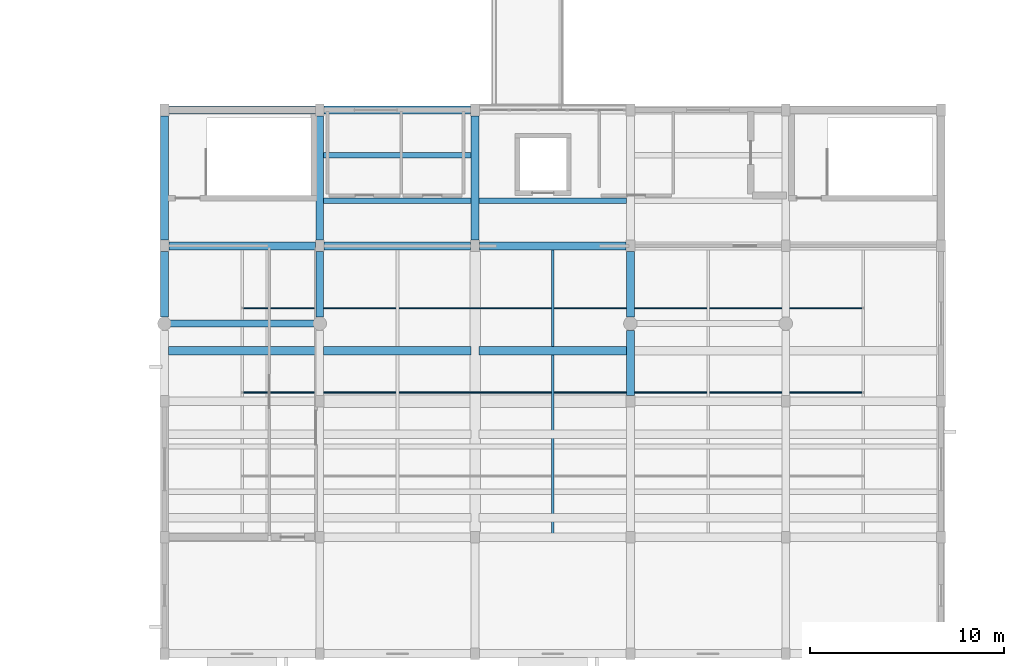
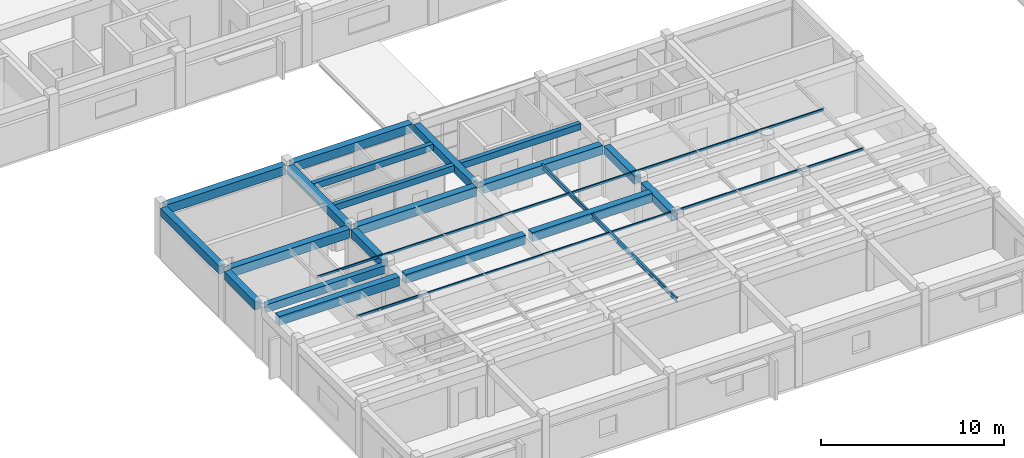
# One storey, part 2 of 33: 19 beams, 3 members.
"""IFC4 building model written with IfcOpenShell, lengths in metres."""

from ifc_helpers import new_model, si_unit, direction, frame, origin, origin_2d, place, context, subcontext, project, spatial, rectangle, hollow_rectangle, i_section, extrude, material, material_profile, profile_set, type_object, element, save


model = new_model("IFC4")

# Units and contexts
model_context = context("Model", 3, precision=1e-05, world=origin(), true_north=direction((0.0, 1.0)))
body_context = subcontext(model_context, "Body", "Model", "MODEL_VIEW")
ifc_project = project(units=[si_unit("LENGTHUNIT", "METRE"), si_unit("AREAUNIT", "SQUARE_METRE"), si_unit("VOLUMEUNIT", "CUBIC_METRE"), si_unit("PLANEANGLEUNIT", "RADIAN"), si_unit("MASSUNIT", "GRAM", prefix="KILO")], contexts=[model_context])

# Site, building, storey
site_placement = place(None, origin())
site = spatial("IfcSite", under=ifc_project, at=site_placement, CompositionType="ELEMENT")
building_placement = place(site_placement, origin())
building = spatial("IfcBuilding", under=site, at=building_placement, Name="Naurynzar Civic Courthouse", CompositionType="ELEMENT")
storey_placement = place(building_placement, frame((0.0, 0.0, 22.050048828125)))
storey = spatial("IfcBuildingStorey", under=building, at=storey_placement, Name="L06", CompositionType="ELEMENT", Elevation=22.050048828125)

# Beams
ifc_material_1 = material(Name="Concrete C40/50", Category="concrete")
ifc_material_profile_1 = material_profile(ifc_material_1, rectangle(XDim=0.27490234375, YDim=0.425048828125, at=origin_2d()), Name="RCB 275x425")
ifc_profile_set_1 = profile_set([ifc_material_profile_1], Name="Concrete C40/50")
beam_type_1 = type_object("IfcBeamType", Name="BM-JST-275x425", PredefinedType="JOIST", material=ifc_profile_set_1)
for number, where, z_axis, x_axis, name in (
    (1, (85.199951171875, 27.333251953125, 3.217529296875), (1.0, 0.0, 0.0), (0.0, 1.0, 0.0), "V3 secondary rib 1690 L06"),
    (2, (85.199951171875, 29.666748046875, 3.217529296875), (1.0, 0.0, 0.0), (0.0, 1.0, 0.0), "V3 secondary rib 1691 L06"),
    (3, (93.199951171875, 27.333251953125, 3.217529296875), (1.0, 0.0, 0.0), (0.0, 1.0, 0.0), "V3 secondary rib 1692 L06"),
):
    element("IfcBeam", number, at=place(storey_placement, frame(where, z_axis=z_axis, x_axis=x_axis)), inside=storey, type_object=beam_type_1, Name=name, PredefinedType="JOIST", context=body_context, shape_type="SweptSolid", body=[
        extrude(rectangle(XDim=0.27490234375, YDim=0.425048828125, at=origin_2d()), origin(), (0.0, 0.0, 1.0), 7.60009765625),
    ])
ifc_material_2 = material(Name="Concrete C40/50", Category="concrete")
ifc_material_profile_2 = material_profile(ifc_material_2, rectangle(XDim=0.35009765625, YDim=0.52490234375, at=origin_2d()), Name="RCB 350x525")
ifc_profile_set_2 = profile_set([ifc_material_profile_2], Name="Concrete C40/50")
beam_type_2 = type_object("IfcBeamType", Name="BM-LNT-350x525", PredefinedType="LINTEL", material=ifc_profile_set_2)
beam_1_placement = place(storey_placement, frame((77.25, 21.0, 3.1474609375), z_axis=(1.0, 0.0, 0.0), x_axis=(0.0, 1.0, 0.0)))
element("IfcBeam", 4, at=beam_1_placement, inside=storey, type_object=beam_type_2, Name="Law Library spine lintel beam 11", PredefinedType="LINTEL", context=body_context, shape_type="SweptSolid", body=[
    extrude(rectangle(XDim=0.35009765625, YDim=0.52490234375, at=origin_2d()), origin(), (0.0, 0.0, 1.0), 7.5),
])
ifc_material_3 = material(Name="Concrete C40/50", Category="concrete")
ifc_material_profile_3 = material_profile(ifc_material_3, rectangle(XDim=0.39990234375, YDim=0.550048828125, at=origin_2d()), Name="RCB 400x550")
ifc_profile_set_3 = profile_set([ifc_material_profile_3], Name="Concrete C40/50")
beam_type_3 = type_object("IfcBeamType", Name="BM-RC-400x550", PredefinedType="BEAM", material=ifc_profile_set_3)
beam_2_placement = place(storey_placement, frame((77.0, 21.35009765625, 3.155029296875), z_axis=(0.0, 1.0, 0.0), x_axis=(-1.0, 0.0, 0.0)))
element("IfcBeam", 5, at=beam_2_placement, inside=storey, type_object=beam_type_3, Name="V3 girder Y-1658 L06", PredefinedType="BEAM", context=body_context, shape_type="SweptSolid", body=[
    extrude(rectangle(XDim=0.39990234375, YDim=0.550048828125, at=origin_2d()), origin(), (0.0, 0.0, 1.0), 3.349853515625),
])
beam_3_placement = place(storey_placement, frame((77.0, 25.300048828125, 3.155029296875), z_axis=(0.0, 1.0, 0.0), x_axis=(-1.0, 0.0, 0.0)))
element("IfcBeam", 6, at=beam_3_placement, inside=storey, type_object=beam_type_3, Name="V3 girder Y-1659 L06", PredefinedType="BEAM", context=body_context, shape_type="SweptSolid", body=[
    extrude(rectangle(XDim=0.39990234375, YDim=0.550048828125, at=origin_2d()), origin(), (0.0, 0.0, 1.0), 6.39990234375),
])
beam_4_placement = place(storey_placement, frame((85.0, 21.35009765625, 3.155029296875), z_axis=(0.0, 1.0, 0.0), x_axis=(-1.0, 0.0, 0.0)))
element("IfcBeam", 7, at=beam_4_placement, inside=storey, type_object=beam_type_3, Name="V3 girder Y-1663 L06", PredefinedType="BEAM", context=body_context, shape_type="SweptSolid", body=[
    extrude(rectangle(XDim=0.39990234375, YDim=0.550048828125, at=origin_2d()), origin(), (0.0, 0.0, 1.0), 3.349853515625),
])
for number, where, z_axis, x_axis, name in (
    (8, (85.0, 25.300048828125, 3.155029296875), (0.0, 1.0, 0.0), (-1.0, 0.0, 0.0), "V3 girder Y-1664 L06"),
    (9, (93.0, 25.300048828125, 3.155029296875), (0.0, 1.0, 0.0), (-1.0, 0.0, 0.0), "V3 girder Y-1667 L06"),
):
    element("IfcBeam", number, at=place(storey_placement, frame(where, z_axis=z_axis, x_axis=x_axis)), inside=storey, type_object=beam_type_3, Name=name, PredefinedType="BEAM", context=body_context, shape_type="SweptSolid", body=[
        extrude(rectangle(XDim=0.39990234375, YDim=0.550048828125, at=origin_2d()), origin(), (0.0, 0.0, 1.0), 6.39990234375),
    ])
for number, where, z_axis, x_axis, name in (
    (10, (101.0, 17.300048828125, 3.155029296875), (0.0, 1.0, 0.0), (-1.0, 0.0, 0.0), "V3 girder Y-1670 L06"),
    (11, (101.0, 21.35009765625, 3.155029296875), (0.0, 1.0, 0.0), (-1.0, 0.0, 0.0), "V3 girder Y-1671 L06"),
):
    element("IfcBeam", number, at=place(storey_placement, frame(where, z_axis=z_axis, x_axis=x_axis)), inside=storey, type_object=beam_type_3, Name=name, PredefinedType="BEAM", context=body_context, shape_type="SweptSolid", body=[
        extrude(rectangle(XDim=0.39990234375, YDim=0.550048828125, at=origin_2d()), origin(), (0.0, 0.0, 1.0), 3.349853515625),
    ])
ifc_material_4 = material(Name="Concrete C40/50", Category="concrete")
ifc_material_profile_4 = material_profile(ifc_material_4, rectangle(XDim=0.425048828125, YDim=0.60009765625, at=origin_2d()), Name="RCB 425x600")
ifc_profile_set_4 = profile_set([ifc_material_profile_4], Name="Concrete C40/50")
beam_type_4 = type_object("IfcBeamType", Name="BM-RC-425x600", PredefinedType="BEAM", material=ifc_profile_set_4)
for number, where, z_axis, x_axis, name in (
    (12, (77.22509765625, 25.0, 3.1298828125), (1.0, 0.0, 0.0), (0.0, 1.0, 0.0), "V3 beam X-1645 L06"),
    (13, (85.22509765625, 25.0, 3.1298828125), (1.0, 0.0, 0.0), (0.0, 1.0, 0.0), "V3 beam X-1646 L06"),
    (14, (93.22509765625, 25.0, 3.1298828125), (1.0, 0.0, 0.0), (0.0, 1.0, 0.0), "V3 beam X-1647 L06"),
    (15, (77.22509765625, 32.0, 3.1298828125), (1.0, 0.0, 0.0), (0.0, 1.0, 0.0), "V3 beam X-1650 L06"),
    (16, (85.22509765625, 32.0, 3.1298828125), (1.0, 0.0, 0.0), (0.0, 1.0, 0.0), "V3 beam X-1651 L06"),
):
    element("IfcBeam", number, at=place(storey_placement, frame(where, z_axis=z_axis, x_axis=x_axis)), inside=storey, type_object=beam_type_4, Name=name, PredefinedType="BEAM", context=body_context, shape_type="SweptSolid", body=[
        extrude(rectangle(XDim=0.425048828125, YDim=0.60009765625, at=origin_2d()), origin(), (0.0, 0.0, 1.0), 7.5498046875),
    ])
for number, where, z_axis, x_axis, name in (
    (17, (77.199951171875, 19.60009765625, 3.199951171875), (1.0, 0.0, 0.0), (0.0, 1.0, 0.0), "V3 clerestory valley beam 11"),
    (18, (85.199951171875, 19.60009765625, 3.199951171875), (1.0, 0.0, 0.0), (0.0, 1.0, 0.0), "V3 clerestory valley beam 12"),
    (19, (93.199951171875, 19.60009765625, 3.199951171875), (1.0, 0.0, 0.0), (0.0, 1.0, 0.0), "V3 clerestory valley beam 13"),
):
    element("IfcBeam", number, at=place(storey_placement, frame(where, z_axis=z_axis, x_axis=x_axis)), inside=storey, type_object=beam_type_4, Name=name, PredefinedType="BEAM", context=body_context, shape_type="SweptSolid", body=[
        extrude(rectangle(XDim=0.425048828125, YDim=0.60009765625, at=origin_2d()), origin(), (0.0, 0.0, 1.0), 7.60009765625),
    ])

# Members
ifc_material_5 = material(Name="Steel S355", Category="steel")
ifc_material_profile_5 = material_profile(ifc_material_5, hollow_rectangle(XDim=0.080078125, YDim=0.159912109375, WallThickness=0.008056640625, InnerFilletRadius=0.008056640625, OuterFilletRadius=0.01611328125, at=origin_2d()), Name="RHS 160x80x8")
ifc_profile_set_5 = profile_set([ifc_material_profile_5], Name="Steel S355")
member_type_1 = type_object("IfcMemberType", Name="MEM-PURLIN-RHS160", PredefinedType="PURLIN", material=ifc_profile_set_5)
for number, where, z_axis, x_axis, name in (
    (20, (81.0, 17.449951171875, 3.364990234375), (1.0, 0.0, 0.0), (0.0, 1.0, 0.0), "Law Library clerestory purlin 2"),
    (21, (81.0, 21.800048828125, 3.364990234375), (1.0, 0.0, 0.0), (0.0, 1.0, 0.0), "Law Library clerestory purlin 3"),
):
    element("IfcMember", number, at=place(storey_placement, frame(where, z_axis=z_axis, x_axis=x_axis)), inside=storey, type_object=member_type_1, Name=name, PredefinedType="PURLIN", context=body_context, shape_type="SweptSolid", body=[
        extrude(hollow_rectangle(XDim=0.080078125, YDim=0.159912109375, WallThickness=0.008056640625, InnerFilletRadius=0.008056640625, OuterFilletRadius=0.01611328125, at=origin_2d()), origin(), (0.0, 0.0, 1.0), 32.0),
    ])
ifc_material_6 = material(Name="Steel S355", Category="steel")
ifc_material_profile_6 = material_profile(ifc_material_6, i_section(OverallWidth=0.135009765625, OverallDepth=0.27001953125, WebThickness=0.006591796875, FlangeThickness=0.01025390625, FilletRadius=0.014892578125, at=origin_2d()), Name="IPE 270")
ifc_profile_set_6 = profile_set([ifc_material_profile_6], Name="Steel S355")
member_type_2 = type_object("IfcMemberType", Name="MEM-RAFTER-IPE270", PredefinedType="RAFTER", material=ifc_profile_set_6)
member_placement = place(storey_placement, frame((97.0, 10.10009765625, 3.31005859375), z_axis=(0.0, 1.0, 0.0), x_axis=(-1.0, 0.0, 0.0)))
element("IfcMember", 22, at=member_placement, inside=storey, type_object=member_type_2, Name="Law Library clerestory rafter 3", PredefinedType="RAFTER", context=body_context, shape_type="SweptSolid", body=[
    extrude(i_section(OverallWidth=0.135009765625, OverallDepth=0.27001953125, WebThickness=0.006591796875, FlangeThickness=0.01025390625, FilletRadius=0.014892578125, at=origin_2d()), origin(), (0.0, 0.0, 1.0), 14.7998046875),
])

save(model, "model.ifc")
